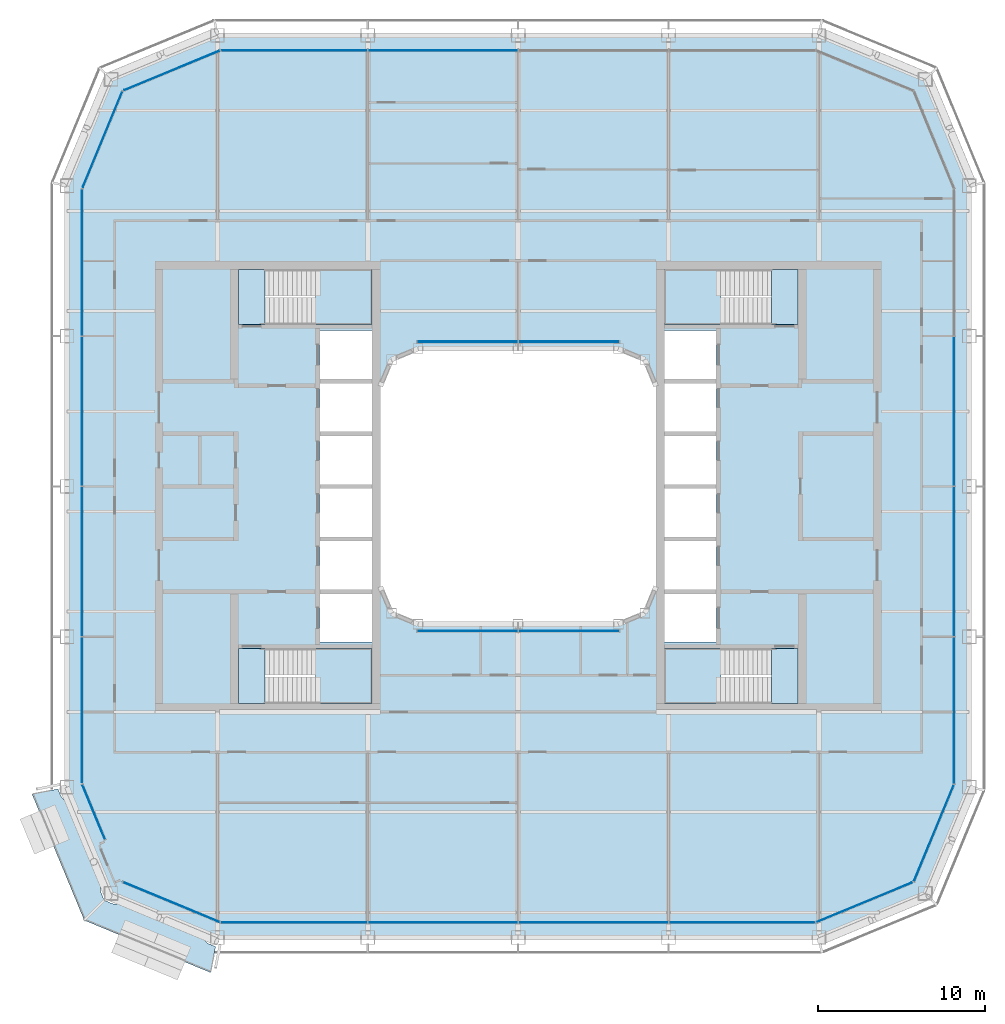
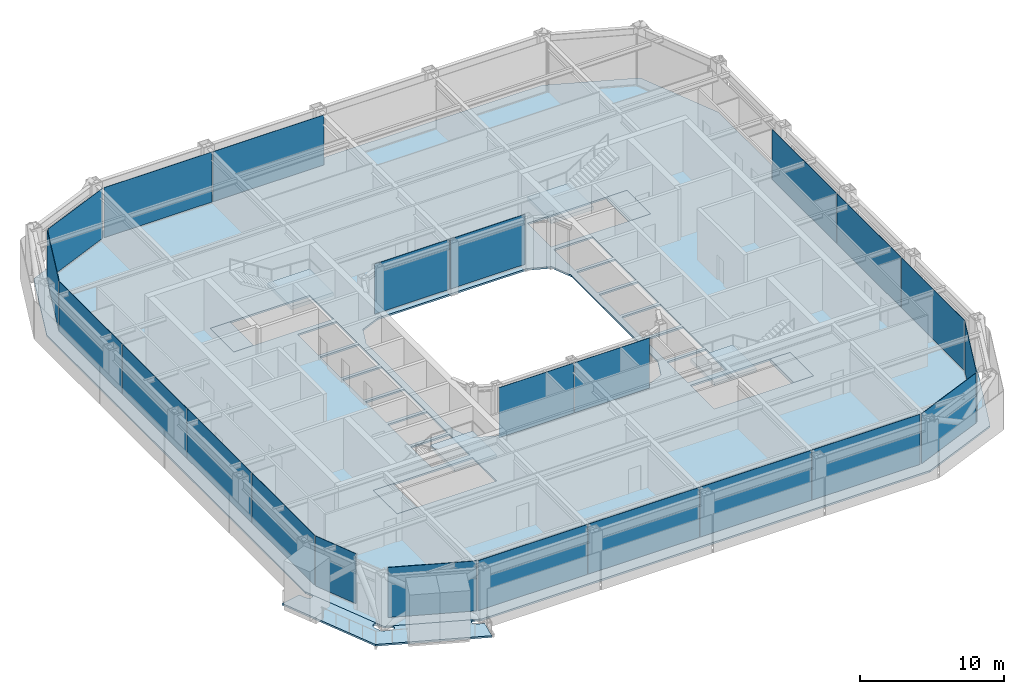
# One storey, part 11 of 24: 23 plates, 10 slabs, 16 elements without a shape of their own.
"""IFC4 building model written with IfcOpenShell, lengths in metres."""

import ifcopenshell
import ifcopenshell.guid

model = None  # the IFC model being written
_history = None  # IfcOwnerHistory: only IFC2X3 demands one
_inside = {}  # id of a spatial element -> (the spatial element, [elements in it])
_under = {}  # id of a project, library or spatial element -> (it, [spatial elements below it])
_declared = {}  # id of a project -> (the project, [libraries it declares])
_typed = {}  # id of a type object -> (the type object, [elements of that type])
_made_of = {}  # id of a material, layer set ... -> (it, [elements and type objects made of it])


def new_model(schema):
    """Start an empty IFC model of exactly this schema.

    Asked for "IFC4X3", IfcOpenShell would pick the latest addendum, in which some entities
    have other attributes; the version numbers below select the first issue.
    IFC2X3 requires an IfcOwnerHistory on every rooted entity: one is made here for all.
    """
    global model, _history
    if schema == "IFC4X3":
        model = ifcopenshell.file(schema_version=(4, 3, 0, 0))
    else:
        model = ifcopenshell.file(schema=schema)
    _inside.clear()
    _under.clear()
    _declared.clear()
    _typed.clear()
    _made_of.clear()
    _history = None
    if model.schema == "IFC2X3":
        org = make("IfcOrganization", Name="unknown")
        user = make(
            "IfcPersonAndOrganization",
            ThePerson=make("IfcPerson", FamilyName="unknown"),
            TheOrganization=org,
        )
        app = make(
            "IfcApplication",
            ApplicationDeveloper=org,
            Version="unknown",
            ApplicationFullName="unknown",
            ApplicationIdentifier="unknown",
        )
        _history = make(
            "IfcOwnerHistory",
            OwningUser=user,
            OwningApplication=app,
            ChangeAction="ADDED",
            CreationDate=0,
        )
    return model


def make(cls, **values):
    """One entity of the class cls with the attributes given. An attribute that is None is left unset."""
    return model.create_entity(
        cls, **{name: value for name, value in values.items() if value is not None}
    )


def rooted(cls, **values):
    """An entity with a GlobalId (a new one), such as an element, a storey or a relation."""
    return make(cls, GlobalId=ifcopenshell.guid.new(), OwnerHistory=_history, **values)


def si_unit(unit_type, name, prefix=None):
    """IfcSIUnit, for example si_unit("LENGTHUNIT", "METRE", prefix="MILLI")."""
    return make("IfcSIUnit", UnitType=unit_type, Prefix=prefix, Name=name)


def assignment(units):
    """IfcUnitAssignment: the units of a project."""
    return None if units is None else make("IfcUnitAssignment", Units=units)


def point(xyz):
    """IfcCartesianPoint."""
    return None if xyz is None else make("IfcCartesianPoint", Coordinates=xyz)


def direction(xyz):
    """IfcDirection."""
    return None if xyz is None else make("IfcDirection", DirectionRatios=xyz)


def frame(location, z_axis=None, x_axis=None):
    """IfcAxis2Placement3D, a coordinate frame: its origin and axes. An axis left out is left unset."""
    return make(
        "IfcAxis2Placement3D",
        Location=point(location),
        Axis=direction(z_axis),
        RefDirection=direction(x_axis),
    )


def frame_2d(location, x_axis=None):
    """IfcAxis2Placement2D, a coordinate frame in the plane: its origin and x axis."""
    return make(
        "IfcAxis2Placement2D", Location=point(location), RefDirection=direction(x_axis)
    )


def origin():
    """The frame at (0, 0, 0) with its axes left unset."""
    return frame((0.0, 0.0, 0.0))


def origin_2d():
    """The frame at (0, 0) in the plane with its x axis left unset."""
    return frame_2d((0.0, 0.0))


def place(relative_to, where):
    """IfcLocalPlacement: puts the frame where relative to a parent placement (None: the world)."""
    return make(
        "IfcLocalPlacement", PlacementRelTo=relative_to, RelativePlacement=where
    )


def context(
    kind, dimensions, precision=None, world=None, true_north=None, identifier=None
):
    """IfcGeometricRepresentationContext, for example the 3D "Model" context."""
    return make(
        "IfcGeometricRepresentationContext",
        ContextIdentifier=identifier,
        ContextType=kind,
        CoordinateSpaceDimension=dimensions,
        Precision=precision,
        WorldCoordinateSystem=world,
        TrueNorth=true_north,
    )


def subcontext(parent, identifier, kind, view, scale=None):
    """IfcGeometricRepresentationSubContext, for example "Body" below "Model"."""
    return make(
        "IfcGeometricRepresentationSubContext",
        ContextIdentifier=identifier,
        ContextType=kind,
        ParentContext=parent,
        TargetScale=scale,
        TargetView=view,
    )


def project(units=None, contexts=None):
    """IfcProject with its units and contexts."""
    return rooted(
        "IfcProject",
        Name="project",
        RepresentationContexts=contexts,
        UnitsInContext=assignment(units),
    )


def spatial(cls, under=None, at=None, **own):
    """A site, building, storey or space (cls), placed at a placement, below another one or the project."""
    s = rooted(cls, ObjectPlacement=at, **own)
    if under is not None:
        _under.setdefault(under.id(), (under, []))[1].append(s)
    return s


def polyline(points):
    """IfcPolyline through the points."""
    return make("IfcPolyline", Points=[point(p) for p in points])


def profile(cls, at=None, kind="AREA", **sizes):
    """A parametric profile (cls). Its sizes go by their IFC names, for example OverallWidth=200.0."""
    return make(cls, ProfileType=kind, Position=at, **sizes)


def rectangle(**sizes):
    """IfcRectangleProfileDef."""
    return profile("IfcRectangleProfileDef", **sizes)


def outline(outer, holes=None, kind="AREA"):
    """IfcArbitraryClosedProfileDef: a profile drawn as a closed curve; with holes, ...WithVoids."""
    if holes is None:
        return make("IfcArbitraryClosedProfileDef", ProfileType=kind, OuterCurve=outer)
    return make(
        "IfcArbitraryProfileDefWithVoids",
        ProfileType=kind,
        OuterCurve=outer,
        InnerCurves=holes,
    )


def extrude(swept, where, along, depth):
    """IfcExtrudedAreaSolid: the profile swept, set in the frame where, extruded along a direction by depth."""
    return make(
        "IfcExtrudedAreaSolid",
        SweptArea=swept,
        Position=where,
        ExtrudedDirection=direction(along),
        Depth=depth,
    )


def shape(context_of_items, identifier, shape_type, items):
    """IfcShapeRepresentation: the items that make up one representation, for example the "Body"."""
    return make(
        "IfcShapeRepresentation",
        ContextOfItems=context_of_items,
        RepresentationIdentifier=identifier,
        RepresentationType=shape_type,
        Items=items,
    )


def material(Name=None, Category=None):
    """IfcMaterial."""
    return make("IfcMaterial", Name=Name, Category=Category)


def layer(
    of_material, thickness, ventilated=None, Name=None, Category=None, Priority=None
):
    """IfcMaterialLayer: one layer of a wall or slab, of a material (None: an air gap)."""
    return make(
        "IfcMaterialLayer",
        Material=of_material,
        LayerThickness=thickness,
        IsVentilated=ventilated,
        Name=Name,
        Category=Category,
        Priority=Priority,
    )


def layer_set(layers, Name=None):
    """IfcMaterialLayerSet."""
    return make("IfcMaterialLayerSet", MaterialLayers=layers, LayerSetName=Name)


def made_of(thing, what):
    """Note that an element or type object is made of a material, layer set ...; save() writes the relation."""
    if what is not None:
        _made_of.setdefault(what.id(), (what, []))[1].append(thing)
    return thing


def type_object(cls, material=None, **own):
    """A type object (cls), such as IfcWallType, which elements share."""
    return made_of(rooted(cls, **own), material)


def element(
    cls,
    number,
    at=None,
    inside=None,
    cuts=None,
    type_object=None,
    material=None,
    context=None,
    identifier="Body",
    shape_type=None,
    held_by="IfcProductDefinitionShape",
    body=None,
    shapes=None,
    **own,
):
    """One element of the class cls, such as IfcWall. Its Tag is "e" and its number.

    at: its placement. inside: the storey or other place that contains it. cuts: it is an
    opening in that element (IfcRelVoidsElement). A single representation is given by context,
    identifier, shape_type and body (its items); several are given by shapes. held_by: the class
    of the entity that holds the representations. save() writes the other relations.
    """
    e = rooted(cls, Tag="e%d" % number, ObjectPlacement=at, **own)
    if body is not None:
        shapes = [shape(context, identifier, shape_type, body)]
    if shapes is not None:
        e.Representation = make(held_by, Representations=shapes)
    if inside is not None:
        _inside.setdefault(inside.id(), (inside, []))[1].append(e)
    if cuts is not None:
        rooted(
            "IfcRelVoidsElement", RelatingBuildingElement=cuts, RelatedOpeningElement=e
        )
    if type_object is not None:
        _typed.setdefault(type_object.id(), (type_object, []))[1].append(e)
    return made_of(e, material)


def aggregate(whole, parts):
    """IfcRelAggregates: a whole, such as a stair, and the parts it consists of."""
    return rooted("IfcRelAggregates", RelatingObject=whole, RelatedObjects=parts)


def save(model, path):
    """Write the relations noted so far, then the file.

    IfcRelAggregates (storeys below a building ...), IfcRelContainedInSpatialStructure (elements
    in a storey), IfcRelDefinesByType, IfcRelAssociatesMaterial and IfcRelDeclares: one each for
    every whole, place, type object, material and project.
    """
    for whole, parts in _under.values():
        aggregate(whole, parts)
    for where, things in _inside.values():
        rooted(
            "IfcRelContainedInSpatialStructure",
            RelatedElements=things,
            RelatingStructure=where,
        )
    for kind, things in _typed.values():
        rooted("IfcRelDefinesByType", RelatedObjects=things, RelatingType=kind)
    for what, things in _made_of.values():
        rooted("IfcRelAssociatesMaterial", RelatedObjects=things, RelatingMaterial=what)
    for by, libraries in _declared.values():
        rooted("IfcRelDeclares", RelatingContext=by, RelatedDefinitions=libraries)
    model.write(path)


model = new_model("IFC4")

# Units and contexts
model_context = context("Model", 3, precision=1e-05, world=origin(), true_north=direction((0.0, 1.0)))
body_context = subcontext(model_context, "Body", "Model", "MODEL_VIEW")
ifc_project = project(units=[si_unit("LENGTHUNIT", "METRE"), si_unit("AREAUNIT", "SQUARE_METRE"), si_unit("VOLUMEUNIT", "CUBIC_METRE"), si_unit("PLANEANGLEUNIT", "RADIAN"), si_unit("MASSUNIT", "GRAM", prefix="KILO")], contexts=[model_context])

# Site, building, storey
site_placement = place(None, origin())
site = spatial("IfcSite", under=ifc_project, at=site_placement, CompositionType="ELEMENT")
building_placement = place(site_placement, origin())
building = spatial("IfcBuilding", under=site, at=building_placement, Name="Siwar Civic Tower", CompositionType="ELEMENT")
storey_placement = place(building_placement, frame((0.0, 0.0, 215.199951171875)))
storey = spatial("IfcBuildingStorey", under=building, at=storey_placement, Name="L46", CompositionType="ELEMENT", Elevation=215.199951171875)

# Stair, slabs
ifc_material_1 = material(Name="Concrete C40/50", Category="concrete")
stair_type = type_object("IfcStairType", Name="CORE-STAIR", PredefinedType="TWO_STRAIGHT_RUN_STAIR", material=ifc_material_1)
stair_1_placement = place(storey_placement, origin())
stair_1 = element("IfcStair", 1, at=stair_1_placement, inside=storey, type_object=stair_type, Name="Exit stair ST1", PredefinedType="TWO_STRAIGHT_RUN_STAIR")
ifc_material_2 = material(Name="Concrete C40/50", Category="concrete")
ifc_layer_1 = layer(ifc_material_2, 0.300048828125)
ifc_layer_set_1 = layer_set([ifc_layer_1], Name="Concrete C40/50")
slab_type_1 = type_object("IfcSlabType", Name="CORE-STAIR-LANDING", PredefinedType="LANDING", material=ifc_layer_set_1)
slab_1_placement = place(storey_placement, frame((0.0, 0.0, -0.300048828125)))
slab_1 = element("IfcSlab", 2, at=slab_1_placement, type_object=slab_type_1, Name="ST1 landing 1", PredefinedType="LANDING", context=body_context, shape_type="SweptSolid", body=[
    extrude(outline(polyline([(-15.14990234375, 13.0), (-16.75, 13.0), (-16.75, 9.699951171875), (-15.14990234375, 9.699951171875), (-15.14990234375, 13.0)])), origin(), (0.0, 0.0, 1.0), 0.300048828125),
])
slab_2_placement = place(storey_placement, frame((0.0, 0.0, 1.949951171875)))
slab_2 = element("IfcSlab", 3, at=slab_2_placement, type_object=slab_type_1, Name="ST1 landing 2", PredefinedType="LANDING", context=body_context, shape_type="SweptSolid", body=[
    extrude(outline(polyline([(-8.75, 13.0), (-12.139892578125, 13.0), (-12.139892578125, 9.699951171875), (-8.75, 9.699951171875), (-8.75, 13.0)])), origin(), (0.0, 0.0, 1.0), 0.300048828125),
])
aggregate(stair_1, [slab_1, slab_2])

stair_2_placement = place(storey_placement, origin())
stair_2 = element("IfcStair", 4, at=stair_2_placement, inside=storey, type_object=stair_type, Name="Exit stair ST2", PredefinedType="TWO_STRAIGHT_RUN_STAIR")
slab_3_placement = place(storey_placement, frame((0.0, 0.0, -0.300048828125)))
slab_3 = element("IfcSlab", 5, at=slab_3_placement, type_object=slab_type_1, Name="ST2 landing 1", PredefinedType="LANDING", context=body_context, shape_type="SweptSolid", body=[
    extrude(outline(polyline([(-15.14990234375, -9.699951171875), (-16.75, -9.699951171875), (-16.75, -13.0), (-15.14990234375, -13.0), (-15.14990234375, -9.699951171875)])), origin(), (0.0, 0.0, 1.0), 0.300048828125),
])
slab_4_placement = place(storey_placement, frame((0.0, 0.0, 1.949951171875)))
slab_4 = element("IfcSlab", 6, at=slab_4_placement, type_object=slab_type_1, Name="ST2 landing 2", PredefinedType="LANDING", context=body_context, shape_type="SweptSolid", body=[
    extrude(outline(polyline([(-8.75, -9.699951171875), (-12.139892578125, -9.699951171875), (-12.139892578125, -13.0), (-8.75, -13.0), (-8.75, -9.699951171875)])), origin(), (0.0, 0.0, 1.0), 0.300048828125),
])
aggregate(stair_2, [slab_3, slab_4])

stair_3_placement = place(storey_placement, origin())
stair_3 = element("IfcStair", 7, at=stair_3_placement, inside=storey, type_object=stair_type, Name="Exit stair ST3", PredefinedType="TWO_STRAIGHT_RUN_STAIR")
slab_5_placement = place(storey_placement, frame((0.0, 0.0, -0.300048828125)))
slab_5 = element("IfcSlab", 8, at=slab_5_placement, type_object=slab_type_1, Name="ST3 landing 1", PredefinedType="LANDING", context=body_context, shape_type="SweptSolid", body=[
    extrude(outline(polyline([(15.14990234375, 9.699951171875), (16.75, 9.699951171875), (16.75, 13.0), (15.14990234375, 13.0), (15.14990234375, 9.699951171875)])), origin(), (0.0, 0.0, 1.0), 0.300048828125),
])
slab_6_placement = place(storey_placement, frame((0.0, 0.0, 1.949951171875)))
slab_6 = element("IfcSlab", 9, at=slab_6_placement, type_object=slab_type_1, Name="ST3 landing 2", PredefinedType="LANDING", context=body_context, shape_type="SweptSolid", body=[
    extrude(outline(polyline([(8.75, 9.699951171875), (12.139892578125, 9.699951171875), (12.139892578125, 13.0), (8.75, 13.0), (8.75, 9.699951171875)])), origin(), (0.0, 0.0, 1.0), 0.300048828125),
])
aggregate(stair_3, [slab_5, slab_6])

stair_4_placement = place(storey_placement, origin())
stair_4 = element("IfcStair", 10, at=stair_4_placement, inside=storey, type_object=stair_type, Name="Exit stair ST4", PredefinedType="TWO_STRAIGHT_RUN_STAIR")
slab_7_placement = place(storey_placement, frame((0.0, 0.0, -0.300048828125)))
slab_7 = element("IfcSlab", 11, at=slab_7_placement, type_object=slab_type_1, Name="ST4 landing 1", PredefinedType="LANDING", context=body_context, shape_type="SweptSolid", body=[
    extrude(outline(polyline([(15.14990234375, -13.0), (16.75, -13.0), (16.75, -9.699951171875), (15.14990234375, -9.699951171875), (15.14990234375, -13.0)])), origin(), (0.0, 0.0, 1.0), 0.300048828125),
])
slab_8_placement = place(storey_placement, frame((0.0, 0.0, 1.949951171875)))
slab_8 = element("IfcSlab", 12, at=slab_8_placement, type_object=slab_type_1, Name="ST4 landing 2", PredefinedType="LANDING", context=body_context, shape_type="SweptSolid", body=[
    extrude(outline(polyline([(8.75, -13.0), (12.139892578125, -13.0), (12.139892578125, -9.699951171875), (8.75, -9.699951171875), (8.75, -13.0)])), origin(), (0.0, 0.0, 1.0), 0.300048828125),
])
aggregate(stair_4, [slab_7, slab_8])

# Slab
ifc_material_3 = material(Name="Concrete C40/50", Category="concrete")
ifc_layer_2 = layer(ifc_material_3, 0.14990234375)
ifc_layer_set_2 = layer_set([ifc_layer_2], Name="Concrete C40/50")
slab_type_2 = type_object("IfcSlabType", Name="ENV-BALCONY DECK 150", PredefinedType="FLOOR", material=ifc_layer_set_2)
slab_9_placement = place(storey_placement, frame((0.0, 0.0, -0.1494140625)))
element("IfcSlab", 13, at=slab_9_placement, inside=storey, type_object=slab_type_2, Name="Tree balcony deck SW", PredefinedType="FLOOR", context=body_context, shape_type="SweptSolid", body=[
    extrude(outline(polyline([(-24.66552734375, -24.81689453125), (-24.6796875, -24.808837890625), (-24.68701171875, -24.80419921875), (-24.693603515625, -24.798583984375), (-24.7041015625, -24.7890625), (-24.7890625, -24.7890625), (-24.7890625, -24.712646484375), (-24.801025390625, -24.695556640625), (-24.806640625, -24.686279296875), (-24.818603515625, -24.662353515625), (-24.82080078125, -24.657470703125), (-24.82080078125, -24.657470703125), (-24.82080078125, -24.657470703125), (-24.82080078125, -24.657470703125), (-24.82080078125, -24.657470703125), (-24.82421875, -24.649658203125), (-24.924560546875, -24.40869140625), (-24.94384765625, -24.362060546875), (-24.94482421875, -24.35986328125), (-24.96533203125, -24.305419921875), (-24.967041015625, -24.300537109375), (-24.98388671875, -24.244873046875), (-24.985595703125, -24.238037109375), (-24.99560546875, -24.189208984375), (-24.99658203125, -24.183837890625), (-25.002685546875, -24.13427734375), (-25.003173828125, -24.12890625), (-25.006103515625, -24.0791015625), (-25.006103515625, -24.073974609375), (-25.005615234375, -24.024169921875), (-25.00537109375, -24.0185546875), (-25.004638671875, -24.0126953125), (-24.99755859375, -23.970947265625), (-24.995849609375, -23.96337890625), (-24.993408203125, -23.9560546875), (-24.98046875, -23.922607421875), (-24.978271484375, -23.91748046875), (-24.962646484375, -23.88525390625), (-24.96044921875, -23.880615234375), (-24.942626953125, -23.849365234375), (-24.93896484375, -23.84326171875), (-24.9345703125, -23.837646484375), (-24.9296875, -23.83251953125), (-24.906982421875, -23.810546875), (-24.900634765625, -23.804931640625), (-24.8935546875, -23.80029296875), (-24.885986328125, -23.796142578125), (-24.85888671875, -23.78369140625), (-24.85400390625, -23.78173828125), (-24.826171875, -23.771240234375), (-24.818115234375, -23.768798828125), (-24.8095703125, -23.76708984375), (-24.80126953125, -23.7666015625), (-24.769775390625, -23.765869140625), (-24.762451171875, -23.76611328125), (-24.75537109375, -23.766845703125), (-24.74853515625, -23.7685546875), (-24.7138671875, -23.77783203125), (-24.708984375, -23.779541015625), (-24.675048828125, -23.791259765625), (-24.669921875, -23.793212890625), (-24.636962890625, -23.8076171875), (-24.630126953125, -23.81103515625), (-24.62353515625, -23.815185546875), (-24.5888671875, -23.839599609375), (-24.58447265625, -23.84326171875), (-24.580078125, -23.846923828125), (-24.57666015625, -23.85009765625), (-26.77978515625, -18.531494140625), (-26.7802734375, -18.5654296875), (-26.780517578125, -18.5712890625), (-26.78125, -18.576904296875), (-26.788330078125, -18.61865234375), (-26.789794921875, -18.626220703125), (-26.792236328125, -18.633544921875), (-26.805419921875, -18.6669921875), (-26.8076171875, -18.672119140625), (-26.822998046875, -18.70458984375), (-26.825439453125, -18.709228515625), (-26.84326171875, -18.740234375), (-26.846923828125, -18.746337890625), (-26.851318359375, -18.751953125), (-26.856201171875, -18.75732421875), (-26.87890625, -18.779052734375), (-26.88525390625, -18.78466796875), (-26.892333984375, -18.78955078125), (-26.899658203125, -18.79345703125), (-26.927001953125, -18.805908203125), (-26.931884765625, -18.80810546875), (-26.959716796875, -18.818603515625), (-26.9677734375, -18.821044921875), (-26.97607421875, -18.82275390625), (-26.984619140625, -18.8232421875), (-27.01611328125, -18.823974609375), (-27.023193359375, -18.82373046875), (-27.0302734375, -18.82275390625), (-27.037353515625, -18.8212890625), (-27.072021484375, -18.811767578125), (-27.076904296875, -18.810302734375), (-27.11083984375, -18.79833984375), (-27.115966796875, -18.79638671875), (-27.14892578125, -18.7822265625), (-27.15576171875, -18.77880859375), (-27.162353515625, -18.774658203125), (-27.197021484375, -18.75), (-27.201416015625, -18.74658203125), (-27.205810546875, -18.74267578125), (-27.241455078125, -18.7080078125), (-27.2451171875, -18.704345703125), (-27.278564453125, -18.667236328125), (-27.281982421875, -18.663330078125), (-27.312744140625, -18.623779296875), (-27.31591796875, -18.619384765625), (-27.343505859375, -18.577880859375), (-27.34716796875, -18.57177734375), (-27.374755859375, -18.520751953125), (-27.377197265625, -18.51611328125), (-27.4013671875, -18.463134765625), (-27.40234375, -18.4609375), (-27.405517578125, -18.453125), (-27.417236328125, -18.425048828125), (-27.425048828125, -18.425048828125), (-27.425048828125, -18.406494140625), (-27.522216796875, -18.17333984375), (-27.525390625, -18.16552734375), (-27.525390625, -18.16552734375), (-27.52783203125, -18.15869140625), (-27.533935546875, -18.13916015625), (-27.53564453125, -18.13232421875), (-27.53662109375, -18.12548828125), (-27.538818359375, -18.107177734375), (-29.10009765625, -18.417724609375), (-25.97119140625, -25.97119140625), (-18.417724609375, -29.10009765625), (-18.106689453125, -27.5361328125), (-18.107421875, -27.5361328125), (-18.1240234375, -27.535400390625), (-18.1328125, -27.53466796875), (-18.141357421875, -27.53271484375), (-18.156982421875, -27.5283203125), (-18.16552734375, -27.525390625), (-18.170166015625, -27.5234375), (-18.17333984375, -27.522216796875), (-18.18896484375, -27.515625), (-18.227783203125, -27.49951171875), (-18.240234375, -27.494140625), (-18.406494140625, -27.425048828125), (-18.425048828125, -27.425048828125), (-18.425048828125, -27.417236328125), (-18.453125, -27.405517578125), (-18.4609375, -27.40234375), (-18.463134765625, -27.4013671875), (-18.51611328125, -27.377197265625), (-18.520751953125, -27.374755859375), (-18.57177734375, -27.34716796875), (-18.577880859375, -27.343505859375), (-18.619384765625, -27.31591796875), (-18.623779296875, -27.312744140625), (-18.663330078125, -27.281982421875), (-18.667236328125, -27.278564453125), (-18.704345703125, -27.2451171875), (-18.7080078125, -27.241455078125), (-18.74267578125, -27.205810546875), (-18.74658203125, -27.201416015625), (-18.75, -27.197021484375), (-18.774658203125, -27.162353515625), (-18.77880859375, -27.15576171875), (-18.7822265625, -27.14892578125), (-18.79638671875, -27.115966796875), (-18.79833984375, -27.11083984375), (-18.810302734375, -27.076904296875), (-18.811767578125, -27.072021484375), (-18.8212890625, -27.037353515625), (-18.82275390625, -27.0302734375), (-18.82373046875, -27.023193359375), (-18.823974609375, -27.01611328125), (-18.8232421875, -26.984619140625), (-18.82275390625, -26.97607421875), (-18.821044921875, -26.9677734375), (-18.818603515625, -26.959716796875), (-18.80810546875, -26.931884765625), (-18.805908203125, -26.927001953125), (-18.79345703125, -26.899658203125), (-18.78955078125, -26.892333984375), (-18.78466796875, -26.88525390625), (-18.779052734375, -26.87890625), (-18.75732421875, -26.856201171875), (-18.751953125, -26.851318359375), (-18.746337890625, -26.846923828125), (-18.740234375, -26.84326171875), (-18.709228515625, -26.825439453125), (-18.70458984375, -26.822998046875), (-18.672119140625, -26.8076171875), (-18.6669921875, -26.805419921875), (-18.633544921875, -26.792236328125), (-18.626220703125, -26.789794921875), (-18.61865234375, -26.788330078125), (-18.576904296875, -26.78125), (-18.5712890625, -26.780517578125), (-18.5654296875, -26.7802734375), (-18.531494140625, -26.77978515625), (-23.85009765625, -24.57666015625), (-23.846923828125, -24.580078125), (-23.84326171875, -24.58447265625), (-23.839599609375, -24.5888671875), (-23.815185546875, -24.62353515625), (-23.81103515625, -24.630126953125), (-23.8076171875, -24.636962890625), (-23.793212890625, -24.669921875), (-23.791259765625, -24.675048828125), (-23.779541015625, -24.708984375), (-23.77783203125, -24.7138671875), (-23.7685546875, -24.74853515625), (-23.766845703125, -24.75537109375), (-23.76611328125, -24.762451171875), (-23.765869140625, -24.769775390625), (-23.7666015625, -24.80126953125), (-23.76708984375, -24.8095703125), (-23.768798828125, -24.818115234375), (-23.771240234375, -24.826171875), (-23.78173828125, -24.85400390625), (-23.78369140625, -24.85888671875), (-23.796142578125, -24.885986328125), (-23.80029296875, -24.8935546875), (-23.804931640625, -24.900634765625), (-23.810546875, -24.906982421875), (-23.83251953125, -24.9296875), (-23.837646484375, -24.9345703125), (-23.84326171875, -24.93896484375), (-23.849365234375, -24.942626953125), (-23.880615234375, -24.96044921875), (-23.88525390625, -24.962646484375), (-23.91748046875, -24.978271484375), (-23.922607421875, -24.98046875), (-23.9560546875, -24.993408203125), (-23.96337890625, -24.995849609375), (-23.970947265625, -24.99755859375), (-24.0126953125, -25.004638671875), (-24.0185546875, -25.00537109375), (-24.024169921875, -25.005615234375), (-24.073974609375, -25.006103515625), (-24.0791015625, -25.006103515625), (-24.12890625, -25.003173828125), (-24.13427734375, -25.002685546875), (-24.183837890625, -24.99658203125), (-24.189208984375, -24.99560546875), (-24.238037109375, -24.985595703125), (-24.244873046875, -24.98388671875), (-24.300537109375, -24.967041015625), (-24.305419921875, -24.96533203125), (-24.35986328125, -24.94482421875), (-24.362060546875, -24.94384765625), (-24.40869140625, -24.924560546875), (-24.649658203125, -24.82421875), (-24.657470703125, -24.82080078125), (-24.66552734375, -24.81689453125)])), origin(), (0.0, 0.0, 1.0), 0.1494140625),
])

# Curtain wall, plates
ifc_material_4 = material(Name="Aluminium and glass", Category="aluminium")
ifc_layer_3 = layer(ifc_material_4, 0.179931640625)
ifc_layer_set_3 = layer_set([ifc_layer_3], Name="Aluminium and glass")
curtain_wall_type_1 = type_object("IfcCurtainWallType", Name="ENV-CW-C", PredefinedType="NOTDEFINED", material=ifc_layer_set_3)
curtain_wall_1_placement = place(storey_placement, origin())
curtain_wall_1 = element("IfcCurtainWall", 14, at=curtain_wall_1_placement, inside=storey, type_object=curtain_wall_type_1, Name="Curtain wall C S", PredefinedType="NOTDEFINED")
ifc_material_5 = material(Name="Glass clear laminated", Category="glass")
ifc_layer_4 = layer(ifc_material_5, 0.031982421875)
ifc_layer_set_4 = layer_set([ifc_layer_4], Name="Glass clear laminated")
plate_type_1 = type_object("IfcPlateType", Name="ENV-PANEL-C", PredefinedType="CURTAIN_PANEL", material=ifc_layer_set_4)
plate_1_placement = place(storey_placement, frame((-13.410400390625, -26.10009765625, 0.10009765625), z_axis=(0.0, 0.0, 1.0), x_axis=(1.0, 0.0, 0.0)))
plate_1 = element("IfcPlate", 15, at=plate_1_placement, type_object=plate_type_1, Name="Curtain panel C S 1", PredefinedType="CURTAIN_PANEL", context=body_context, shape_type="SweptSolid", body=[
    extrude(rectangle(XDim=8.760986328125, YDim=0.031982421875, at=origin_2d()), origin(), (0.0, 0.0, 1.0), 4.25),
])
plate_2_placement = place(storey_placement, frame((-4.5, -26.10009765625, 0.10009765625), z_axis=(0.0, 0.0, 1.0), x_axis=(1.0, 0.0, 0.0)))
plate_2 = element("IfcPlate", 16, at=plate_2_placement, type_object=plate_type_1, Name="Curtain panel C S 2", PredefinedType="CURTAIN_PANEL", context=body_context, shape_type="SweptSolid", body=[
    extrude(rectangle(XDim=8.93994140625, YDim=0.031982421875, at=origin_2d()), origin(), (0.0, 0.0, 1.0), 4.25),
])
plate_3_placement = place(storey_placement, frame((4.5, -26.10009765625, 0.10009765625), z_axis=(0.0, 0.0, 1.0), x_axis=(1.0, 0.0, 0.0)))
plate_3 = element("IfcPlate", 17, at=plate_3_placement, type_object=plate_type_1, Name="Curtain panel C S 3", PredefinedType="CURTAIN_PANEL", context=body_context, shape_type="SweptSolid", body=[
    extrude(rectangle(XDim=8.93994140625, YDim=0.031982421875, at=origin_2d()), origin(), (0.0, 0.0, 1.0), 4.25),
])
plate_4_placement = place(storey_placement, frame((13.373046875, -26.10009765625, 0.10009765625), z_axis=(0.0, 0.0, 1.0), x_axis=(1.0, 0.0, 0.0)))
plate_4 = element("IfcPlate", 18, at=plate_4_placement, type_object=plate_type_1, Name="Curtain panel C S 4", PredefinedType="CURTAIN_PANEL", context=body_context, shape_type="SweptSolid", body=[
    extrude(rectangle(XDim=8.68603515625, YDim=0.031982421875, at=origin_2d()), origin(), (0.0, 0.0, 1.0), 4.25),
])
aggregate(curtain_wall_1, [plate_1, plate_2, plate_3, plate_4])

curtain_wall_2_placement = place(storey_placement, origin())
curtain_wall_2 = element("IfcCurtainWall", 19, at=curtain_wall_2_placement, inside=storey, type_object=curtain_wall_type_1, Name="Curtain wall C E", PredefinedType="NOTDEFINED")
plate_5_placement = place(storey_placement, frame((26.10009765625, -13.410400390625, 0.10009765625), z_axis=(0.0, 0.0, 1.0), x_axis=(0.0, 1.0, 0.0)))
plate_5 = element("IfcPlate", 20, at=plate_5_placement, type_object=plate_type_1, Name="Curtain panel C E 1", PredefinedType="CURTAIN_PANEL", context=body_context, shape_type="SweptSolid", body=[
    extrude(rectangle(XDim=8.760986328125, YDim=0.031982421875, at=origin_2d()), origin(), (0.0, 0.0, 1.0), 4.25),
])
plate_6_placement = place(storey_placement, frame((26.10009765625, -4.5, 0.10009765625), z_axis=(0.0, 0.0, 1.0), x_axis=(0.0, 1.0, 0.0)))
plate_6 = element("IfcPlate", 21, at=plate_6_placement, type_object=plate_type_1, Name="Curtain panel C E 2", PredefinedType="CURTAIN_PANEL", context=body_context, shape_type="SweptSolid", body=[
    extrude(rectangle(XDim=8.93994140625, YDim=0.031982421875, at=origin_2d()), origin(), (0.0, 0.0, 1.0), 4.25),
])
plate_7_placement = place(storey_placement, frame((26.10009765625, 4.5, 0.10009765625), z_axis=(0.0, 0.0, 1.0), x_axis=(0.0, 1.0, 0.0)))
plate_7 = element("IfcPlate", 22, at=plate_7_placement, type_object=plate_type_1, Name="Curtain panel C E 3", PredefinedType="CURTAIN_PANEL", context=body_context, shape_type="SweptSolid", body=[
    extrude(rectangle(XDim=8.93994140625, YDim=0.031982421875, at=origin_2d()), origin(), (0.0, 0.0, 1.0), 4.25),
])
aggregate(curtain_wall_2, [plate_5, plate_6, plate_7])

curtain_wall_3_placement = place(storey_placement, origin())
curtain_wall_3 = element("IfcCurtainWall", 23, at=curtain_wall_3_placement, inside=storey, type_object=curtain_wall_type_1, Name="Curtain wall C N", PredefinedType="NOTDEFINED")
plate_8_placement = place(storey_placement, frame((-4.5, 26.10009765625, 0.10009765625), z_axis=(0.0, 0.0, 1.0), x_axis=(-1.0, 0.0, 0.0)))
plate_8 = element("IfcPlate", 24, at=plate_8_placement, type_object=plate_type_1, Name="Curtain panel C N 3", PredefinedType="CURTAIN_PANEL", context=body_context, shape_type="SweptSolid", body=[
    extrude(rectangle(XDim=8.93994140625, YDim=0.031982421875, at=origin_2d()), origin(), (0.0, 0.0, 1.0), 4.25),
])
plate_9_placement = place(storey_placement, frame((-13.373046875, 26.10009765625, 0.10009765625), z_axis=(0.0, 0.0, 1.0), x_axis=(-1.0, 0.0, 0.0)))
plate_9 = element("IfcPlate", 25, at=plate_9_placement, type_object=plate_type_1, Name="Curtain panel C N 4", PredefinedType="CURTAIN_PANEL", context=body_context, shape_type="SweptSolid", body=[
    extrude(rectangle(XDim=8.68603515625, YDim=0.031982421875, at=origin_2d()), origin(), (0.0, 0.0, 1.0), 4.25),
])
aggregate(curtain_wall_3, [plate_8, plate_9])

curtain_wall_4_placement = place(storey_placement, origin())
curtain_wall_4 = element("IfcCurtainWall", 26, at=curtain_wall_4_placement, inside=storey, type_object=curtain_wall_type_1, Name="Curtain wall C W", PredefinedType="NOTDEFINED")
plate_10_placement = place(storey_placement, frame((-26.10009765625, 13.410400390625, 0.10009765625), z_axis=(0.0, 0.0, 1.0), x_axis=(0.0, -1.0, 0.0)))
plate_10 = element("IfcPlate", 27, at=plate_10_placement, type_object=plate_type_1, Name="Curtain panel C W 1", PredefinedType="CURTAIN_PANEL", context=body_context, shape_type="SweptSolid", body=[
    extrude(rectangle(XDim=8.760986328125, YDim=0.031982421875, at=origin_2d()), origin(), (0.0, 0.0, 1.0), 4.25),
])
plate_11_placement = place(storey_placement, frame((-26.10009765625, 4.5, 0.10009765625), z_axis=(0.0, 0.0, 1.0), x_axis=(0.0, -1.0, 0.0)))
plate_11 = element("IfcPlate", 28, at=plate_11_placement, type_object=plate_type_1, Name="Curtain panel C W 2", PredefinedType="CURTAIN_PANEL", context=body_context, shape_type="SweptSolid", body=[
    extrude(rectangle(XDim=8.93994140625, YDim=0.031982421875, at=origin_2d()), origin(), (0.0, 0.0, 1.0), 4.25),
])
plate_12_placement = place(storey_placement, frame((-26.10009765625, -4.5, 0.10009765625), z_axis=(0.0, 0.0, 1.0), x_axis=(0.0, -1.0, 0.0)))
plate_12 = element("IfcPlate", 29, at=plate_12_placement, type_object=plate_type_1, Name="Curtain panel C W 3", PredefinedType="CURTAIN_PANEL", context=body_context, shape_type="SweptSolid", body=[
    extrude(rectangle(XDim=8.93994140625, YDim=0.031982421875, at=origin_2d()), origin(), (0.0, 0.0, 1.0), 4.25),
])
plate_13_placement = place(storey_placement, frame((-26.10009765625, -13.373046875, 0.10009765625), z_axis=(0.0, 0.0, 1.0), x_axis=(0.0, -1.0, 0.0)))
plate_13 = element("IfcPlate", 30, at=plate_13_placement, type_object=plate_type_1, Name="Curtain panel C W 4", PredefinedType="CURTAIN_PANEL", context=body_context, shape_type="SweptSolid", body=[
    extrude(rectangle(XDim=8.68603515625, YDim=0.031982421875, at=origin_2d()), origin(), (0.0, 0.0, 1.0), 4.25),
])
aggregate(curtain_wall_4, [plate_10, plate_11, plate_12, plate_13])

# Curtain wall, plate
ifc_material_6 = material(Name="Aluminium clad insulated panel", Category="aluminium")
ifc_layer_5 = layer(ifc_material_6, 0.179931640625)
ifc_layer_set_5 = layer_set([ifc_layer_5], Name="Aluminium clad insulated panel")
curtain_wall_type_2 = type_object("IfcCurtainWallType", Name="ENV-CW-CX", PredefinedType="NOTDEFINED", material=ifc_layer_set_5)
curtain_wall_5_placement = place(storey_placement, origin())
curtain_wall_5 = element("IfcCurtainWall", 31, at=curtain_wall_5_placement, inside=storey, type_object=curtain_wall_type_2, Name="Curtain wall C SE1", PredefinedType="NOTDEFINED")
ifc_material_7 = material(Name="Aluminium clad insulated panel", Category="aluminium")
ifc_layer_6 = layer(ifc_material_7, 0.031982421875)
ifc_layer_set_6 = layer_set([ifc_layer_6], Name="Aluminium clad insulated panel")
plate_type_2 = type_object("IfcPlateType", Name="ENV-PANEL-CX", PredefinedType="CURTAIN_PANEL", material=ifc_layer_set_6)
plate_14_placement = place(storey_placement, frame((20.71337890625, -24.90185546875, 0.10009765625), z_axis=(0.0, 0.0, 1.0), x_axis=(0.923879532511, 0.382683432365, 0.0)))
plate_14 = element("IfcPlate", 32, at=plate_14_placement, type_object=plate_type_2, Name="Curtain panel C SE1 1", PredefinedType="CURTAIN_PANEL", context=body_context, shape_type="SweptSolid", body=[
    extrude(rectangle(XDim=6.20166015625, YDim=0.031982421875, at=origin_2d()), origin(), (0.0, 0.0, 1.0), 4.25),
])
aggregate(curtain_wall_5, [plate_14])

curtain_wall_6_placement = place(storey_placement, origin())
curtain_wall_6 = element("IfcCurtainWall", 33, at=curtain_wall_6_placement, inside=storey, type_object=curtain_wall_type_2, Name="Curtain wall C SE2", PredefinedType="NOTDEFINED")
plate_15_placement = place(storey_placement, frame((24.873291015625, -20.78271484375, 0.10009765625), z_axis=(0.0, 0.0, 1.0), x_axis=(0.382683432365, 0.923879532511, 0.0)))
plate_15 = element("IfcPlate", 34, at=plate_15_placement, type_object=plate_type_2, Name="Curtain panel C SE2 1", PredefinedType="CURTAIN_PANEL", context=body_context, shape_type="SweptSolid", body=[
    extrude(rectangle(XDim=6.20166015625, YDim=0.031982421875, at=origin_2d()), origin(), (0.0, 0.0, 1.0), 4.25),
])
aggregate(curtain_wall_6, [plate_15])

curtain_wall_7_placement = place(storey_placement, origin())
curtain_wall_7 = element("IfcCurtainWall", 35, at=curtain_wall_7_placement, inside=storey, type_object=curtain_wall_type_2, Name="Curtain wall C NW1", PredefinedType="NOTDEFINED")
plate_16_placement = place(storey_placement, frame((-20.71337890625, 24.90185546875, 0.10009765625), z_axis=(0.0, 0.0, 1.0), x_axis=(-0.923879532511, -0.382683432365, 0.0)))
plate_16 = element("IfcPlate", 36, at=plate_16_placement, type_object=plate_type_2, Name="Curtain panel C NW1 1", PredefinedType="CURTAIN_PANEL", context=body_context, shape_type="SweptSolid", body=[
    extrude(rectangle(XDim=6.20166015625, YDim=0.031982421875, at=origin_2d()), origin(), (0.0, 0.0, 1.0), 4.25),
])
aggregate(curtain_wall_7, [plate_16])

curtain_wall_8_placement = place(storey_placement, origin())
curtain_wall_8 = element("IfcCurtainWall", 37, at=curtain_wall_8_placement, inside=storey, type_object=curtain_wall_type_2, Name="Curtain wall C NW2", PredefinedType="NOTDEFINED")
plate_17_placement = place(storey_placement, frame((-24.873291015625, 20.78271484375, 0.10009765625), z_axis=(0.0, 0.0, 1.0), x_axis=(-0.382683432365, -0.923879532511, 0.0)))
plate_17 = element("IfcPlate", 38, at=plate_17_placement, type_object=plate_type_2, Name="Curtain panel C NW2 1", PredefinedType="CURTAIN_PANEL", context=body_context, shape_type="SweptSolid", body=[
    extrude(rectangle(XDim=6.20166015625, YDim=0.031982421875, at=origin_2d()), origin(), (0.0, 0.0, 1.0), 4.25),
])
aggregate(curtain_wall_8, [plate_17])

curtain_wall_9_placement = place(storey_placement, origin())
curtain_wall_9 = element("IfcCurtainWall", 39, at=curtain_wall_9_placement, inside=storey, type_object=curtain_wall_type_2, Name="Curtain wall C SW1", PredefinedType="NOTDEFINED")
plate_18_placement = place(storey_placement, frame((-25.40966796875, -19.4873046875, 0.10009765625), z_axis=(0.0, 0.0, 1.0), x_axis=(0.382683432365, -0.923879532511, 0.0)))
plate_18 = element("IfcPlate", 40, at=plate_18_placement, type_object=plate_type_2, Name="Curtain panel C SW1 1", PredefinedType="CURTAIN_PANEL", context=body_context, shape_type="SweptSolid", body=[
    extrude(rectangle(XDim=3.54736328125, YDim=0.031982421875, at=origin_2d()), origin(), (0.0, 0.0, 1.0), 4.25),
])
aggregate(curtain_wall_9, [plate_18])

curtain_wall_10_placement = place(storey_placement, origin())
curtain_wall_10 = element("IfcCurtainWall", 41, at=curtain_wall_10_placement, inside=storey, type_object=curtain_wall_type_2, Name="Curtain wall C SW2", PredefinedType="NOTDEFINED")
plate_19_placement = place(storey_placement, frame((-20.78271484375, -24.873291015625, 0.10009765625), z_axis=(0.0, 0.0, 1.0), x_axis=(0.923879532511, -0.382683432365, 0.0)))
plate_19 = element("IfcPlate", 42, at=plate_19_placement, type_object=plate_type_2, Name="Curtain panel C SW2 1", PredefinedType="CURTAIN_PANEL", context=body_context, shape_type="SweptSolid", body=[
    extrude(rectangle(XDim=6.20166015625, YDim=0.031982421875, at=origin_2d()), origin(), (0.0, 0.0, 1.0), 4.25),
])
aggregate(curtain_wall_10, [plate_19])

# Curtain wall, plates
ifc_material_8 = material(Name="Aluminium and glass", Category="aluminium")
ifc_layer_7 = layer(ifc_material_8, 0.179931640625)
ifc_layer_set_7 = layer_set([ifc_layer_7], Name="Aluminium and glass")
curtain_wall_type_3 = type_object("IfcCurtainWallType", Name="ENV-CW-W", PredefinedType="NOTDEFINED", material=ifc_layer_set_7)
curtain_wall_11_placement = place(storey_placement, origin())
curtain_wall_11 = element("IfcCurtainWall", 43, at=curtain_wall_11_placement, inside=storey, type_object=curtain_wall_type_3, Name="Curtain wall W WS", PredefinedType="NOTDEFINED")
ifc_material_9 = material(Name="Glass clear laminated", Category="glass")
ifc_layer_8 = layer(ifc_material_9, 0.031982421875)
ifc_layer_set_8 = layer_set([ifc_layer_8], Name="Glass clear laminated")
plate_type_3 = type_object("IfcPlateType", Name="ENV-PANEL-W", PredefinedType="CURTAIN_PANEL", material=ifc_layer_set_8)
plate_20_placement = place(storey_placement, frame((-3.040771484375, -8.659912109375, 0.10009765625), z_axis=(0.0, 0.0, 1.0), x_axis=(1.0, 0.0, 0.0)))
plate_20 = element("IfcPlate", 44, at=plate_20_placement, type_object=plate_type_3, Name="Curtain panel W WS 1", PredefinedType="CURTAIN_PANEL", context=body_context, shape_type="SweptSolid", body=[
    extrude(rectangle(XDim=6.021484375, YDim=0.031982421875, at=origin_2d()), origin(), (0.0, 0.0, 1.0), 4.25),
])
plate_21_placement = place(storey_placement, frame((3.040771484375, -8.659912109375, 0.10009765625), z_axis=(0.0, 0.0, 1.0), x_axis=(1.0, 0.0, 0.0)))
plate_21 = element("IfcPlate", 45, at=plate_21_placement, type_object=plate_type_3, Name="Curtain panel W WS 2", PredefinedType="CURTAIN_PANEL", context=body_context, shape_type="SweptSolid", body=[
    extrude(rectangle(XDim=6.021484375, YDim=0.031982421875, at=origin_2d()), origin(), (0.0, 0.0, 1.0), 4.25),
])
aggregate(curtain_wall_11, [plate_20, plate_21])

curtain_wall_12_placement = place(storey_placement, origin())
curtain_wall_12 = element("IfcCurtainWall", 46, at=curtain_wall_12_placement, inside=storey, type_object=curtain_wall_type_3, Name="Curtain wall W WN", PredefinedType="NOTDEFINED")
plate_22_placement = place(storey_placement, frame((3.040771484375, 8.659912109375, 0.10009765625), z_axis=(0.0, 0.0, 1.0), x_axis=(-1.0, 0.0, 0.0)))
plate_22 = element("IfcPlate", 47, at=plate_22_placement, type_object=plate_type_3, Name="Curtain panel W WN 1", PredefinedType="CURTAIN_PANEL", context=body_context, shape_type="SweptSolid", body=[
    extrude(rectangle(XDim=6.021484375, YDim=0.031982421875, at=origin_2d()), origin(), (0.0, 0.0, 1.0), 4.25),
])
plate_23_placement = place(storey_placement, frame((-3.040771484375, 8.659912109375, 0.10009765625), z_axis=(0.0, 0.0, 1.0), x_axis=(-1.0, 0.0, 0.0)))
plate_23 = element("IfcPlate", 48, at=plate_23_placement, type_object=plate_type_3, Name="Curtain panel W WN 2", PredefinedType="CURTAIN_PANEL", context=body_context, shape_type="SweptSolid", body=[
    extrude(rectangle(XDim=6.021484375, YDim=0.031982421875, at=origin_2d()), origin(), (0.0, 0.0, 1.0), 4.25),
])
aggregate(curtain_wall_12, [plate_22, plate_23])

# Slab
ifc_material_10 = material(Name="Concrete C40/50", Category="concrete")
ifc_layer_9 = layer(ifc_material_10, 0.14990234375)
ifc_layer_set_9 = layer_set([ifc_layer_9], Name="Concrete C40/50")
slab_type_3 = type_object("IfcSlabType", Name="STR-FLOOR-DECK-150", PredefinedType="FLOOR", material=ifc_layer_set_9)
slab_10_placement = place(storey_placement, frame((0.0, 0.0, -0.14990234375)))
element("IfcSlab", 49, at=slab_10_placement, inside=storey, type_object=slab_type_3, Name="L46/slab/1", PredefinedType="FLOOR", context=body_context, shape_type="SweptSolid", body=[
    extrude(outline(polyline([(-18.0, -27.0), (18.0, -27.0), (24.364013671875, -24.364013671875), (27.0, -18.0), (27.0, 18.0), (24.364013671875, 24.364013671875), (18.0, 27.0), (-18.0, 27.0), (-24.364013671875, 24.364013671875), (-27.0, 18.0), (-27.0, -18.0), (-24.364013671875, -24.364013671875), (-18.0, -27.0)]), holes=[polyline([(16.75, 13.0), (16.75, 9.699951171875), (8.75, 9.699951171875), (8.75, 13.0), (16.75, 13.0)]), polyline([(8.75, -9.699951171875), (16.75, -9.699951171875), (16.75, -13.0), (8.75, -13.0), (8.75, -9.699951171875)]), polyline([(11.85009765625, 9.324951171875), (11.85009765625, 6.425048828125), (8.75, 6.425048828125), (8.75, 9.324951171875), (11.85009765625, 9.324951171875)]), polyline([(8.75, 6.175048828125), (11.85009765625, 6.175048828125), (11.85009765625, 3.27490234375), (8.75, 3.27490234375), (8.75, 6.175048828125)]), polyline([(8.75, 3.02490234375), (11.85009765625, 3.02490234375), (11.85009765625, 0.125), (8.75, 0.125), (8.75, 3.02490234375)]), polyline([(8.75, -0.125), (11.85009765625, -0.125), (11.85009765625, -3.02490234375), (8.75, -3.02490234375), (8.75, -0.125)]), polyline([(8.75, -3.27490234375), (11.85009765625, -3.27490234375), (11.85009765625, -6.175048828125), (8.75, -6.175048828125), (8.75, -3.27490234375)]), polyline([(8.75, -6.425048828125), (11.85009765625, -6.425048828125), (11.85009765625, -9.324951171875), (8.75, -9.324951171875), (8.75, -6.425048828125)]), polyline([(-6.0, 8.25), (6.0, 8.25), (7.591064453125, 7.591064453125), (8.25, 6.0), (8.25, -6.0), (7.591064453125, -7.591064453125), (6.0, -8.25), (-6.0, -8.25), (-7.591064453125, -7.591064453125), (-8.25, -6.0), (-8.25, 6.0), (-7.591064453125, 7.591064453125), (-6.0, 8.25)]), polyline([(-8.75, -13.0), (-16.75, -13.0), (-16.75, -9.699951171875), (-8.75, -9.699951171875), (-8.75, -13.0)]), polyline([(-8.75, 9.699951171875), (-16.75, 9.699951171875), (-16.75, 13.0), (-8.75, 13.0), (-8.75, 9.699951171875)]), polyline([(-8.75, 6.425048828125), (-11.85009765625, 6.425048828125), (-11.85009765625, 9.324951171875), (-8.75, 9.324951171875), (-8.75, 6.425048828125)]), polyline([(-8.75, 3.27490234375), (-11.85009765625, 3.27490234375), (-11.85009765625, 6.175048828125), (-8.75, 6.175048828125), (-8.75, 3.27490234375)]), polyline([(-8.75, 0.125), (-11.85009765625, 0.125), (-11.85009765625, 3.02490234375), (-8.75, 3.02490234375), (-8.75, 0.125)]), polyline([(-8.75, -3.02490234375), (-11.85009765625, -3.02490234375), (-11.85009765625, -0.125), (-8.75, -0.125), (-8.75, -3.02490234375)]), polyline([(-8.75, -6.175048828125), (-11.85009765625, -6.175048828125), (-11.85009765625, -3.27490234375), (-8.75, -3.27490234375), (-8.75, -6.175048828125)]), polyline([(-8.75, -9.324951171875), (-11.85009765625, -9.324951171875), (-11.85009765625, -6.425048828125), (-8.75, -6.425048828125), (-8.75, -9.324951171875)])]), origin(), (0.0, 0.0, 1.0), 0.14990234375),
])

save(model, "model.ifc")
